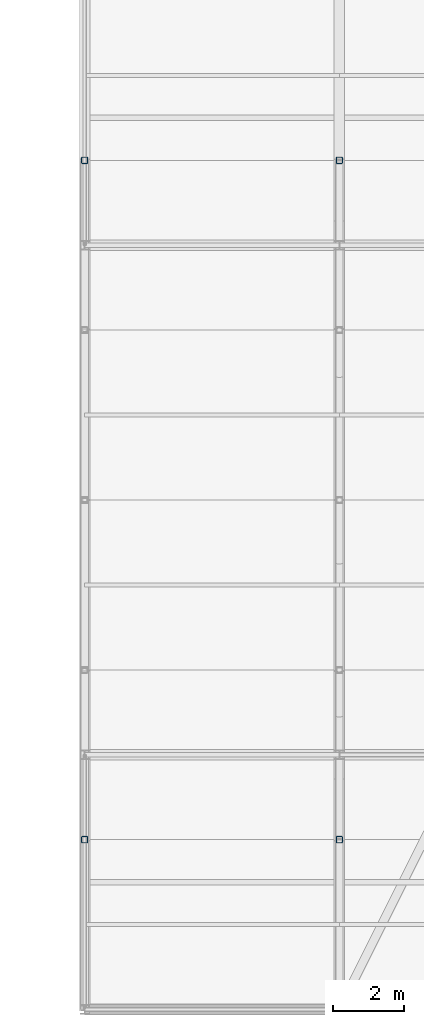
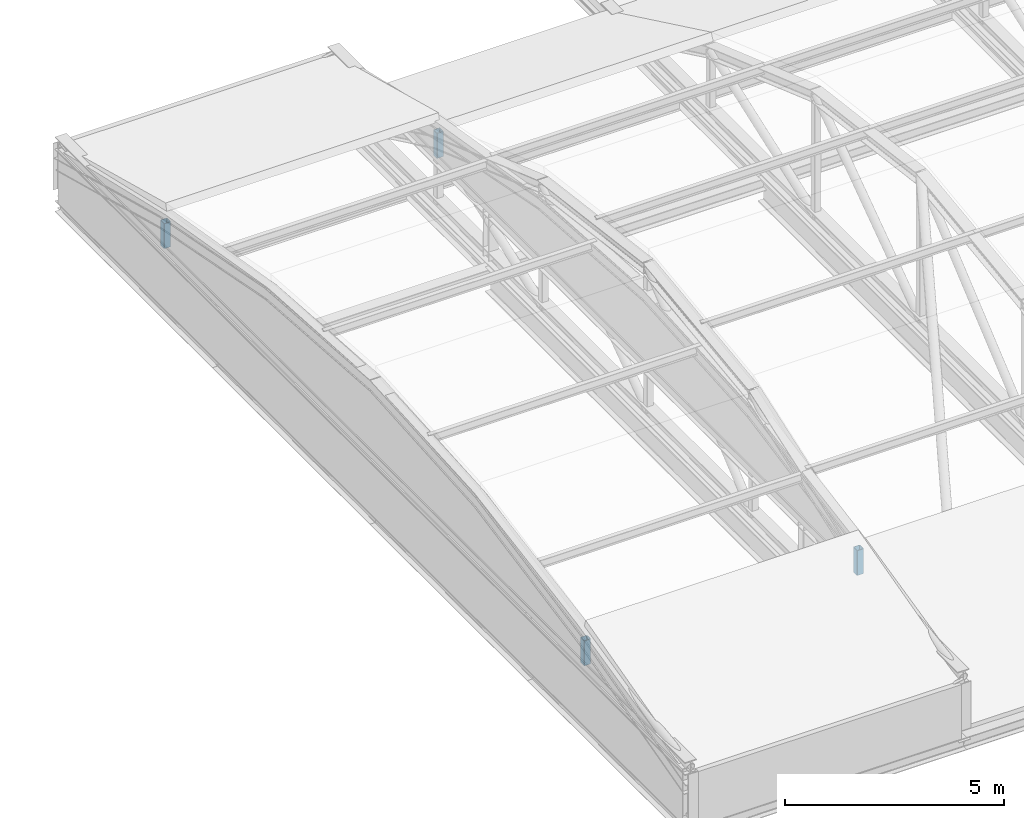
# One storey, part 60 of 103: 4 members.
"""IFC4 building model written with IfcOpenShell, lengths in metres."""

import ifcopenshell
import ifcopenshell.guid

model = None  # the IFC model being written
_history = None  # IfcOwnerHistory: only IFC2X3 demands one
_inside = {}  # id of a spatial element -> (the spatial element, [elements in it])
_under = {}  # id of a project, library or spatial element -> (it, [spatial elements below it])
_declared = {}  # id of a project -> (the project, [libraries it declares])
_typed = {}  # id of a type object -> (the type object, [elements of that type])
_made_of = {}  # id of a material, layer set ... -> (it, [elements and type objects made of it])


def new_model(schema):
    """Start an empty IFC model of exactly this schema.

    Asked for "IFC4X3", IfcOpenShell would pick the latest addendum, in which some entities
    have other attributes; the version numbers below select the first issue.
    IFC2X3 requires an IfcOwnerHistory on every rooted entity: one is made here for all.
    """
    global model, _history
    if schema == "IFC4X3":
        model = ifcopenshell.file(schema_version=(4, 3, 0, 0))
    else:
        model = ifcopenshell.file(schema=schema)
    _inside.clear()
    _under.clear()
    _declared.clear()
    _typed.clear()
    _made_of.clear()
    _history = None
    if model.schema == "IFC2X3":
        org = make("IfcOrganization", Name="unknown")
        user = make(
            "IfcPersonAndOrganization",
            ThePerson=make("IfcPerson", FamilyName="unknown"),
            TheOrganization=org,
        )
        app = make(
            "IfcApplication",
            ApplicationDeveloper=org,
            Version="unknown",
            ApplicationFullName="unknown",
            ApplicationIdentifier="unknown",
        )
        _history = make(
            "IfcOwnerHistory",
            OwningUser=user,
            OwningApplication=app,
            ChangeAction="ADDED",
            CreationDate=0,
        )
    return model


def make(cls, **values):
    """One entity of the class cls with the attributes given. An attribute that is None is left unset."""
    return model.create_entity(
        cls, **{name: value for name, value in values.items() if value is not None}
    )


def rooted(cls, **values):
    """An entity with a GlobalId (a new one), such as an element, a storey or a relation."""
    return make(cls, GlobalId=ifcopenshell.guid.new(), OwnerHistory=_history, **values)


def si_unit(unit_type, name, prefix=None):
    """IfcSIUnit, for example si_unit("LENGTHUNIT", "METRE", prefix="MILLI")."""
    return make("IfcSIUnit", UnitType=unit_type, Prefix=prefix, Name=name)


def assignment(units):
    """IfcUnitAssignment: the units of a project."""
    return None if units is None else make("IfcUnitAssignment", Units=units)


def point(xyz):
    """IfcCartesianPoint."""
    return None if xyz is None else make("IfcCartesianPoint", Coordinates=xyz)


def direction(xyz):
    """IfcDirection."""
    return None if xyz is None else make("IfcDirection", DirectionRatios=xyz)


def frame(location, z_axis=None, x_axis=None):
    """IfcAxis2Placement3D, a coordinate frame: its origin and axes. An axis left out is left unset."""
    return make(
        "IfcAxis2Placement3D",
        Location=point(location),
        Axis=direction(z_axis),
        RefDirection=direction(x_axis),
    )


def frame_2d(location, x_axis=None):
    """IfcAxis2Placement2D, a coordinate frame in the plane: its origin and x axis."""
    return make(
        "IfcAxis2Placement2D", Location=point(location), RefDirection=direction(x_axis)
    )


def origin():
    """The frame at (0, 0, 0) with its axes left unset."""
    return frame((0.0, 0.0, 0.0))


def origin_2d():
    """The frame at (0, 0) in the plane with its x axis left unset."""
    return frame_2d((0.0, 0.0))


def place(relative_to, where):
    """IfcLocalPlacement: puts the frame where relative to a parent placement (None: the world)."""
    return make(
        "IfcLocalPlacement", PlacementRelTo=relative_to, RelativePlacement=where
    )


def context(
    kind, dimensions, precision=None, world=None, true_north=None, identifier=None
):
    """IfcGeometricRepresentationContext, for example the 3D "Model" context."""
    return make(
        "IfcGeometricRepresentationContext",
        ContextIdentifier=identifier,
        ContextType=kind,
        CoordinateSpaceDimension=dimensions,
        Precision=precision,
        WorldCoordinateSystem=world,
        TrueNorth=true_north,
    )


def subcontext(parent, identifier, kind, view, scale=None):
    """IfcGeometricRepresentationSubContext, for example "Body" below "Model"."""
    return make(
        "IfcGeometricRepresentationSubContext",
        ContextIdentifier=identifier,
        ContextType=kind,
        ParentContext=parent,
        TargetScale=scale,
        TargetView=view,
    )


def project(units=None, contexts=None):
    """IfcProject with its units and contexts."""
    return rooted(
        "IfcProject",
        Name="project",
        RepresentationContexts=contexts,
        UnitsInContext=assignment(units),
    )


def spatial(cls, under=None, at=None, **own):
    """A site, building, storey or space (cls), placed at a placement, below another one or the project."""
    s = rooted(cls, ObjectPlacement=at, **own)
    if under is not None:
        _under.setdefault(under.id(), (under, []))[1].append(s)
    return s


def profile(cls, at=None, kind="AREA", **sizes):
    """A parametric profile (cls). Its sizes go by their IFC names, for example OverallWidth=200.0."""
    return make(cls, ProfileType=kind, Position=at, **sizes)


def hollow_rectangle(**sizes):
    """IfcRectangleHollowProfileDef."""
    return profile("IfcRectangleHollowProfileDef", **sizes)


def extrude(swept, where, along, depth):
    """IfcExtrudedAreaSolid: the profile swept, set in the frame where, extruded along a direction by depth."""
    return make(
        "IfcExtrudedAreaSolid",
        SweptArea=swept,
        Position=where,
        ExtrudedDirection=direction(along),
        Depth=depth,
    )


def shape(context_of_items, identifier, shape_type, items):
    """IfcShapeRepresentation: the items that make up one representation, for example the "Body"."""
    return make(
        "IfcShapeRepresentation",
        ContextOfItems=context_of_items,
        RepresentationIdentifier=identifier,
        RepresentationType=shape_type,
        Items=items,
    )


def material(Name=None, Category=None):
    """IfcMaterial."""
    return make("IfcMaterial", Name=Name, Category=Category)


def material_profile(
    of_material, cross_section, Name=None, Category=None, Priority=None
):
    """IfcMaterialProfile: a cross section and its material."""
    return make(
        "IfcMaterialProfile",
        Name=Name,
        Material=of_material,
        Profile=cross_section,
        Priority=Priority,
        Category=Category,
    )


def profile_set(profiles, Name=None, composite=None):
    """IfcMaterialProfileSet."""
    return make(
        "IfcMaterialProfileSet",
        Name=Name,
        MaterialProfiles=profiles,
        CompositeProfile=composite,
    )


def made_of(thing, what):
    """Note that an element or type object is made of a material, layer set ...; save() writes the relation."""
    if what is not None:
        _made_of.setdefault(what.id(), (what, []))[1].append(thing)
    return thing


def type_object(cls, material=None, **own):
    """A type object (cls), such as IfcWallType, which elements share."""
    return made_of(rooted(cls, **own), material)


def element(
    cls,
    number,
    at=None,
    inside=None,
    cuts=None,
    type_object=None,
    material=None,
    context=None,
    identifier="Body",
    shape_type=None,
    held_by="IfcProductDefinitionShape",
    body=None,
    shapes=None,
    **own,
):
    """One element of the class cls, such as IfcWall. Its Tag is "e" and its number.

    at: its placement. inside: the storey or other place that contains it. cuts: it is an
    opening in that element (IfcRelVoidsElement). A single representation is given by context,
    identifier, shape_type and body (its items); several are given by shapes. held_by: the class
    of the entity that holds the representations. save() writes the other relations.
    """
    e = rooted(cls, Tag="e%d" % number, ObjectPlacement=at, **own)
    if body is not None:
        shapes = [shape(context, identifier, shape_type, body)]
    if shapes is not None:
        e.Representation = make(held_by, Representations=shapes)
    if inside is not None:
        _inside.setdefault(inside.id(), (inside, []))[1].append(e)
    if cuts is not None:
        rooted(
            "IfcRelVoidsElement", RelatingBuildingElement=cuts, RelatedOpeningElement=e
        )
    if type_object is not None:
        _typed.setdefault(type_object.id(), (type_object, []))[1].append(e)
    return made_of(e, material)


def aggregate(whole, parts):
    """IfcRelAggregates: a whole, such as a stair, and the parts it consists of."""
    return rooted("IfcRelAggregates", RelatingObject=whole, RelatedObjects=parts)


def save(model, path):
    """Write the relations noted so far, then the file.

    IfcRelAggregates (storeys below a building ...), IfcRelContainedInSpatialStructure (elements
    in a storey), IfcRelDefinesByType, IfcRelAssociatesMaterial and IfcRelDeclares: one each for
    every whole, place, type object, material and project.
    """
    for whole, parts in _under.values():
        aggregate(whole, parts)
    for where, things in _inside.values():
        rooted(
            "IfcRelContainedInSpatialStructure",
            RelatedElements=things,
            RelatingStructure=where,
        )
    for kind, things in _typed.values():
        rooted("IfcRelDefinesByType", RelatedObjects=things, RelatingType=kind)
    for what, things in _made_of.values():
        rooted("IfcRelAssociatesMaterial", RelatedObjects=things, RelatingMaterial=what)
    for by, libraries in _declared.values():
        rooted("IfcRelDeclares", RelatingContext=by, RelatedDefinitions=libraries)
    model.write(path)


model = new_model("IFC4")

# Units and contexts
model_context = context("Model", 3, precision=1e-05, world=origin(), true_north=direction((0.0, 1.0)))
body_context = subcontext(model_context, "Body", "Model", "MODEL_VIEW")
ifc_project = project(units=[si_unit("LENGTHUNIT", "METRE"), si_unit("AREAUNIT", "SQUARE_METRE"), si_unit("VOLUMEUNIT", "CUBIC_METRE"), si_unit("PLANEANGLEUNIT", "RADIAN"), si_unit("MASSUNIT", "GRAM", prefix="KILO")], contexts=[model_context])

# Site, building, storey
site_placement = place(None, origin())
site = spatial("IfcSite", under=ifc_project, at=site_placement, CompositionType="ELEMENT")
building_placement = place(site_placement, origin())
building = spatial("IfcBuilding", under=site, at=building_placement, Name="Zlatovets Crest Museum", CompositionType="ELEMENT")
storey_placement = place(building_placement, frame((0.0, 0.0, 12.89990234375)))
storey = spatial("IfcBuildingStorey", under=building, at=storey_placement, Name="L03", CompositionType="ELEMENT", Elevation=12.89990234375)

# Members
ifc_material = material(Name="Structural steel S355J2", Category="steel")
ifc_material_profile = material_profile(ifc_material, hollow_rectangle(XDim=0.179931640625, YDim=0.179931640625, WallThickness=0.010009765625, InnerFilletRadius=0.010009765625, OuterFilletRadius=0.02001953125, at=origin_2d()), Name="SHS 180x180x10.0")
ifc_profile_set = profile_set([ifc_material_profile], Name="Structural steel S355J2")
member_type = type_object("IfcMemberType", Name="Member_TM-04", PredefinedType="STRUT", material=ifc_profile_set)
for number, where, z_axis, x_axis, name in (
    (1, (0.0, 4.800048828125, 1.380126953125), (0.0, 0.0, 1.0), (1.0, 0.0, 0.0), "V3 Barrel Vault Web Strut"),
    (2, (0.0, 24.0, 1.380126953125), (0.0, 0.0, 1.0), (1.0, 0.0, 0.0), "V3 Barrel Vault Web Strut"),
    (3, (7.199951171875, 4.800048828125, 1.380126953125), (0.0, 0.0, 1.0), (1.0, 0.0, 0.0), "V3 Barrel Vault Web Strut"),
    (4, (7.199951171875, 24.0, 1.380126953125), (0.0, 0.0, 1.0), (1.0, 0.0, 0.0), "V3 Barrel Vault Web Strut"),
):
    element("IfcMember", number, at=place(storey_placement, frame(where, z_axis=z_axis, x_axis=x_axis)), inside=storey, type_object=member_type, Name=name, PredefinedType="STRUT", context=body_context, shape_type="SweptSolid", body=[
        extrude(hollow_rectangle(XDim=0.179931640625, YDim=0.179931640625, WallThickness=0.010009765625, InnerFilletRadius=0.010009765625, OuterFilletRadius=0.02001953125, at=origin_2d()), origin(), (0.0, 0.0, 1.0), 0.695068359375),
    ])

save(model, "model.ifc")
